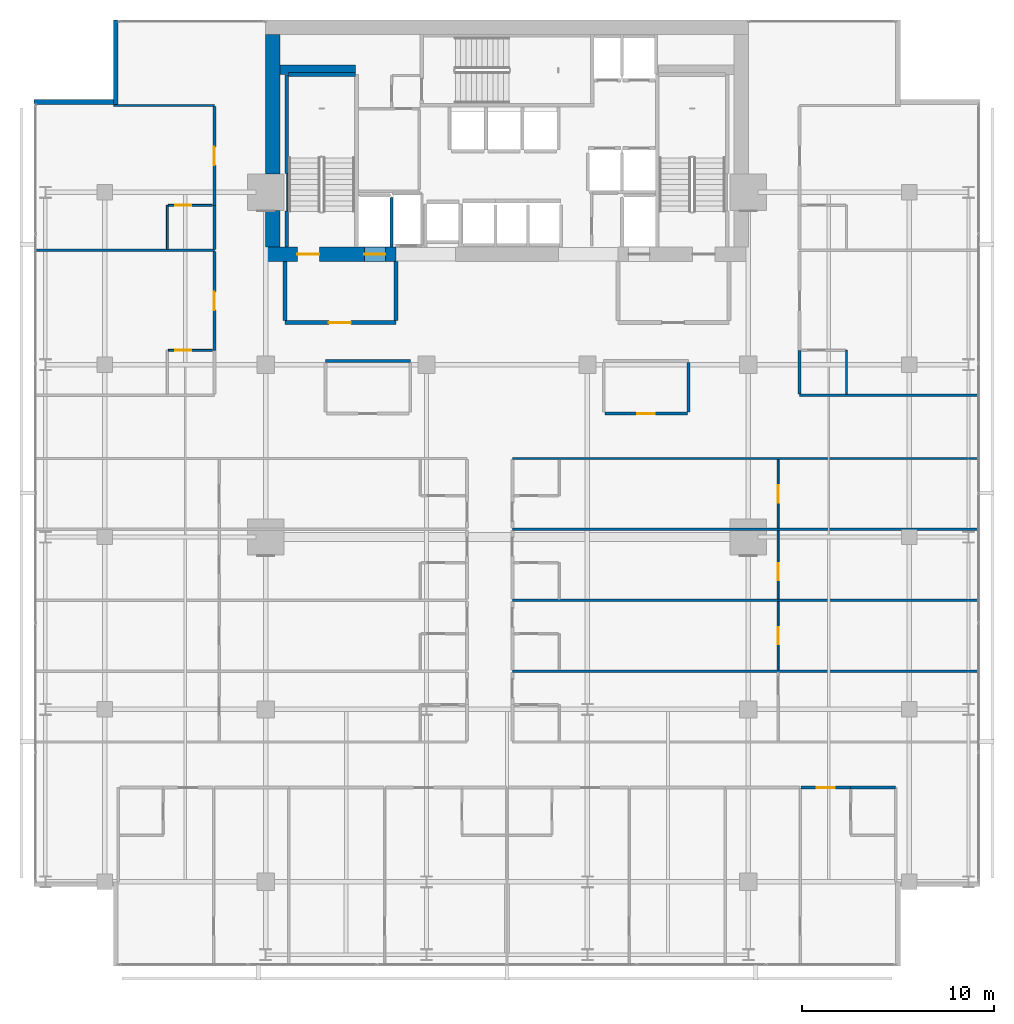
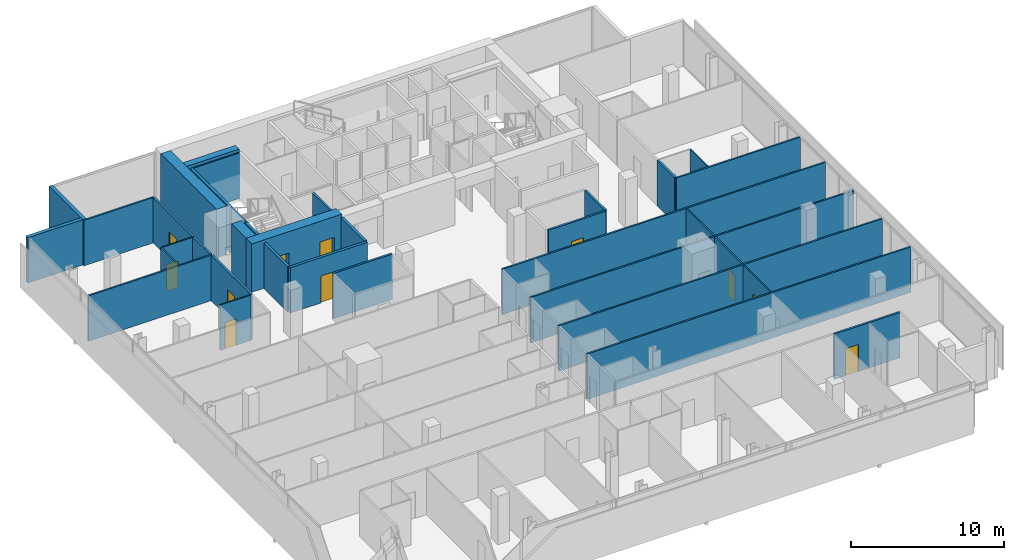
# One storey, part 29 of 34: 37 walls, 12 doors, 12 openings.
"""IFC4 building model written with IfcOpenShell, lengths in metres."""

from ifc_helpers import new_model, si_unit, direction, frame, frame_2d, origin, place, context, subcontext, project, spatial, rectangle, extrude, material, layer, layer_set, type_object, element, fill, save


model = new_model("IFC4")

# Units and contexts
model_context = context("Model", 3, precision=1e-05, world=origin(), true_north=direction((0.0, 1.0)))
body_context = subcontext(model_context, "Body", "Model", "MODEL_VIEW")
ifc_project = project(units=[si_unit("LENGTHUNIT", "METRE"), si_unit("AREAUNIT", "SQUARE_METRE"), si_unit("VOLUMEUNIT", "CUBIC_METRE"), si_unit("PLANEANGLEUNIT", "RADIAN"), si_unit("MASSUNIT", "GRAM", prefix="KILO")], contexts=[model_context])

# Site, building, storey
site_placement = place(None, origin())
site = spatial("IfcSite", under=ifc_project, at=site_placement, CompositionType="ELEMENT")
building_placement = place(site_placement, origin())
building = spatial("IfcBuilding", under=site, at=building_placement, Name="Maruvema Waterfront Hotel and Observation Tower", CompositionType="ELEMENT")
storey_placement = place(building_placement, frame((0.0, 0.0, 189.0)))
storey = spatial("IfcBuildingStorey", under=building, at=storey_placement, Name="L46", CompositionType="ELEMENT", Elevation=189.0)

# Walls
ifc_material_1 = material(Name="Twin-stud acoustic gypsum drywall", Category="gypsum")
ifc_layer_1 = layer(ifc_material_1, 0.14990234375, Name="Acoustic Corridor and Suite Demising Wall 150 mm")
ifc_layer_set_1 = layer_set([ifc_layer_1], Name="Twin-stud acoustic gypsum drywall")
wall_type_1 = type_object("IfcWallType", Name="Acoustic Corridor and Suite Demising Wall 150 mm", PredefinedType="PARTITIONING", material=ifc_layer_set_1)
wall_1_placement = place(storey_placement, frame((28.320068359375, 36.199951171875, 0.0), z_axis=(0.0, 0.0, 1.0), x_axis=(1.0, 0.0, 0.0)))
element("IfcWall", 1, at=wall_1_placement, inside=storey, type_object=wall_type_1, Name="L46 L46-M1 Back Wall 017", PredefinedType="PARTITIONING", context=body_context, shape_type="SweptSolid", body=[
    extrude(rectangle(XDim=4.429931640625, YDim=0.14990234375, at=frame_2d((2.21484375, 0.0))), origin(), (0.0, 0.0, 1.0), 3.610107421875),
])
wall_2_placement = place(storey_placement, frame((47.280029296875, 33.530029296875, 0.0), z_axis=(0.0, 0.0, 1.0), x_axis=(0.0, 1.0, 0.0)))
element("IfcWall", 2, at=wall_2_placement, inside=storey, type_object=wall_type_1, Name="L46 L46-M2 East Wall 023", PredefinedType="PARTITIONING", context=body_context, shape_type="SweptSolid", body=[
    extrude(rectangle(XDim=2.590087890625, YDim=0.14990234375, at=frame_2d((1.294921875, 0.0))), origin(), (0.0, 0.0, 1.0), 3.610107421875),
])

# Wall, opening, door
wall_3_placement = place(storey_placement, frame((42.909912109375, 33.449951171875, 0.0), z_axis=(0.0, 0.0, 1.0), x_axis=(1.0, 0.0, 0.0)))
wall_3 = element("IfcWall", 3, at=wall_3_placement, inside=storey, type_object=wall_type_1, Name="L46 L46-M2 Front 1 024", PredefinedType="PARTITIONING", context=body_context, shape_type="SweptSolid", body=[
    extrude(rectangle(XDim=4.31005859375, YDim=0.14990234375, at=frame_2d((2.155029296875, 0.0))), origin(), (0.0, 0.0, 1.0), 3.610107421875),
])
opening_1_placement = place(wall_3_placement, frame((1.705078125, 0.0, 0.0)))
opening_1 = element("IfcOpeningElement", 4, at=opening_1_placement, cuts=wall_3, Name="Opening DR-090", PredefinedType="OPENING", context=body_context, shape_type="SweptSolid", body=[
    extrude(rectangle(XDim=0.89990234375, YDim=2.10009765625, at=frame_2d((0.449951171875, 1.050048828125))), frame((0.0, 0.0849609375, 0.0), z_axis=(0.0, -1.0, 0.0), x_axis=(1.0, 0.0, 0.0)), (0.0, 0.0, 1.0), 0.169921875),
])
ifc_material_2 = material(Name="Solid-core lacquered timber leaf", Category="wood")
door_type_1 = type_object("IfcDoorType", Name="Accessible Toilet and Room Door 900x2100 mm", OperationType="NOTDEFINED", PredefinedType="DOOR", material=ifc_material_2)
door_1_placement = place(opening_1_placement, frame((0.89990234375, 0.0, 0.0), z_axis=(0.0, 0.0, 1.0), x_axis=(-1.0, 0.0, 0.0)))
door_1 = element("IfcDoor", 5, at=door_1_placement, inside=storey, type_object=door_type_1, Name="L46 Library Lounge 3 Door", OperationType="SINGLE_SWING_RIGHT", OverallHeight=2.10009765625, OverallWidth=0.89990234375, PredefinedType="DOOR", context=body_context, shape_type="SweptSolid", body=[
    extrude(rectangle(XDim=0.89990234375, YDim=2.10009765625, at=frame_2d((0.449951171875, 1.050048828125))), frame((0.0, 0.02490234375, 0.0), z_axis=(0.0, -1.0, 0.0), x_axis=(1.0, 0.0, 0.0)), (0.0, 0.0, 1.0), 0.050048828125),
])
fill(opening_1, door_1)

# Wall
wall_4_placement = place(storey_placement, frame((55.75, 13.919921875, 0.0), z_axis=(0.0, 0.0, 1.0), x_axis=(1.0, 0.0, 0.0)))
element("IfcWall", 6, at=wall_4_placement, inside=storey, type_object=wall_type_1, Name="L46 Bath L46-S4 Back Wall 048", PredefinedType="PARTITIONING", context=body_context, shape_type="SweptSolid", body=[
    extrude(rectangle(XDim=2.330078125, YDim=0.14990234375, at=frame_2d((1.1650390625, 0.0))), origin(), (0.0, 0.0, 1.0), 3.610107421875),
])

# Wall, opening, door
wall_5_placement = place(storey_placement, frame((53.156005859375, 13.919921875, 0.0), z_axis=(0.0, 0.0, 1.0), x_axis=(1.0, 0.0, 0.0)))
wall_5 = element("IfcWall", 7, at=wall_5_placement, inside=storey, type_object=wall_type_1, Name="L46 Unit L46-S4 Corridor Wall 052", PredefinedType="PARTITIONING", context=body_context, shape_type="SweptSolid", body=[
    extrude(rectangle(XDim=2.593994140625, YDim=0.14990234375, at=frame_2d((1.296875, 0.0))), origin(), (0.0, 0.0, 1.0), 3.610107421875),
])
opening_2_placement = place(wall_5_placement, frame((0.822021484375, 0.0, 0.0)))
opening_2 = element("IfcOpeningElement", 8, at=opening_2_placement, cuts=wall_5, Name="Opening DR-095", PredefinedType="OPENING", context=body_context, shape_type="SweptSolid", body=[
    extrude(rectangle(XDim=0.949951171875, YDim=2.14990234375, at=frame_2d((0.47509765625, 1.074951171875))), frame((0.0, 0.0849609375, 0.0), z_axis=(0.0, -1.0, 0.0), x_axis=(1.0, 0.0, 0.0)), (0.0, 0.0, 1.0), 0.169921875),
])
ifc_material_3 = material(Name="Acoustic solid-core hardwood timber leaf", Category="wood")
door_type_2 = type_object("IfcDoorType", Name="Guestroom Entrance Fire Door 950x2150 mm", OperationType="NOTDEFINED", PredefinedType="DOOR", material=ifc_material_3)
door_2_placement = place(opening_2_placement, frame((0.949951171875, 0.0, 0.0), z_axis=(0.0, 0.0, 1.0), x_axis=(-1.0, 0.0, 0.0)))
door_2 = element("IfcDoor", 9, at=door_2_placement, inside=storey, type_object=door_type_2, Name="L46 Unit L46-S4 Entrance Door", OperationType="SINGLE_SWING_LEFT", OverallHeight=2.14990234375, OverallWidth=0.949951171875, PredefinedType="DOOR", context=body_context, shape_type="SweptSolid", body=[
    extrude(rectangle(XDim=0.949951171875, YDim=2.14990234375, at=frame_2d((0.47509765625, 1.074951171875))), frame((0.0, 0.02490234375, 0.0), z_axis=(0.0, -1.0, 0.0), x_axis=(1.0, 0.0, 0.0)), (0.0, 0.0, 1.0), 0.050048828125),
])
fill(opening_2, door_2)

wall_6_placement = place(storey_placement, frame((22.52001953125, 36.75, 0.0), z_axis=(0.0, 0.0, 1.0), x_axis=(0.0, 1.0, 0.0)))
wall_6 = element("IfcWall", 10, at=wall_6_placement, inside=storey, type_object=wall_type_1, Name="L46 Room L46-NW1 Corridor Wall 109", PredefinedType="PARTITIONING", context=body_context, shape_type="SweptSolid", body=[
    extrude(rectangle(XDim=5.15869140625, YDim=0.14990234375, at=frame_2d((2.579345703125, 0.0))), origin(), (0.0, 0.0, 1.0), 3.610107421875),
])
opening_3_placement = place(wall_6_placement, frame((2.1044921875, 0.0, 0.0)))
opening_3 = element("IfcOpeningElement", 11, at=opening_3_placement, cuts=wall_6, Name="Opening DR-095", PredefinedType="OPENING", context=body_context, shape_type="SweptSolid", body=[
    extrude(rectangle(XDim=0.949951171875, YDim=2.14990234375, at=frame_2d((0.47509765625, 1.074951171875))), frame((0.0, 0.0849609375, 0.0), z_axis=(0.0, -1.0, 0.0), x_axis=(1.0, 0.0, 0.0)), (0.0, 0.0, 1.0), 0.169921875),
])
door_3_placement = place(opening_3_placement, origin())
door_3 = element("IfcDoor", 12, at=door_3_placement, inside=storey, type_object=door_type_2, Name="L46 Room L46-NW1 Entrance Door", OperationType="SINGLE_SWING_RIGHT", OverallHeight=2.14990234375, OverallWidth=0.949951171875, PredefinedType="DOOR", context=body_context, shape_type="SweptSolid", body=[
    extrude(rectangle(XDim=0.949951171875, YDim=2.14990234375, at=frame_2d((0.47509765625, 1.074951171875))), frame((0.0, 0.02490234375, 0.0), z_axis=(0.0, -1.0, 0.0), x_axis=(1.0, 0.0, 0.0)), (0.0, 0.0, 1.0), 0.050048828125),
])
fill(opening_3, door_3)

# Walls
for number, where, z_axis, x_axis, name in (
    (13, (53.080078125, 34.4599609375, 0.0), (0.0, 0.0, 1.0), (0.0, 1.0, 0.0), "L46 Bath L46-NE1 Wall 112"),
    (14, (22.52001953125, 42.02880859375, 0.0), (0.0, 0.0, 1.0), (0.0, 1.0, 0.0), "L46 Bath L46-NW2 Wall 118"),
):
    element("IfcWall", number, at=place(storey_placement, frame(where, z_axis=z_axis, x_axis=x_axis)), inside=storey, type_object=wall_type_1, Name=name, PredefinedType="PARTITIONING", context=body_context, shape_type="SweptSolid", body=[
        extrude(rectangle(XDim=2.2900390625, YDim=0.14990234375, at=frame_2d((1.14501953125, 0.0))), origin(), (0.0, 0.0, 1.0), 3.610107421875),
    ])

# Wall, opening, door
wall_7_placement = place(storey_placement, frame((22.52001953125, 44.31884765625, 0.0), z_axis=(0.0, 0.0, 1.0), x_axis=(0.0, 1.0, 0.0)))
wall_7 = element("IfcWall", 15, at=wall_7_placement, inside=storey, type_object=wall_type_1, Name="L46 Room L46-NW2 Corridor Wall 119", PredefinedType="PARTITIONING", context=body_context, shape_type="SweptSolid", body=[
    extrude(rectangle(XDim=5.15869140625, YDim=0.14990234375, at=frame_2d((2.579345703125, 0.0))), origin(), (0.0, 0.0, 1.0), 3.610107421875),
])
opening_4_placement = place(wall_7_placement, frame((2.104248046875, 0.0, 0.0)))
opening_4 = element("IfcOpeningElement", 16, at=opening_4_placement, cuts=wall_7, Name="Opening DR-095", PredefinedType="OPENING", context=body_context, shape_type="SweptSolid", body=[
    extrude(rectangle(XDim=0.949951171875, YDim=2.14990234375, at=frame_2d((0.47509765625, 1.074951171875))), frame((0.0, 0.0849609375, 0.0), z_axis=(0.0, -1.0, 0.0), x_axis=(1.0, 0.0, 0.0)), (0.0, 0.0, 1.0), 0.169921875),
])
door_4_placement = place(opening_4_placement, origin())
door_4 = element("IfcDoor", 17, at=door_4_placement, inside=storey, type_object=door_type_2, Name="L46 Room L46-NW2 Entrance Door", OperationType="SINGLE_SWING_RIGHT", OverallHeight=2.14990234375, OverallWidth=0.949951171875, PredefinedType="DOOR", context=body_context, shape_type="SweptSolid", body=[
    extrude(rectangle(XDim=0.949951171875, YDim=2.14990234375, at=frame_2d((0.47509765625, 1.074951171875))), frame((0.0, 0.02490234375, 0.0), z_axis=(0.0, -1.0, 0.0), x_axis=(1.0, 0.0, 0.0)), (0.0, 0.0, 1.0), 0.050048828125),
])
fill(opening_4, door_4)

# Walls
ifc_material_4 = material(Name="Precast concrete C45/55", Category="concrete")
ifc_layer_2 = layer(ifc_material_4, 0.199951171875, Name="Core Shaft and Stairwell Enclosure Wall 200 mm")
ifc_layer_set_2 = layer_set([ifc_layer_2], Name="Precast concrete C45/55")
wall_type_2 = type_object("IfcWallType", Name="Core Shaft and Stairwell Enclosure Wall 200 mm", PredefinedType="SOLIDWALL", material=ifc_layer_set_2)
wall_8_placement = place(storey_placement, frame((26.300048828125, 42.14990234375, 0.0), z_axis=(0.0, 0.0, 1.0), x_axis=(0.0, 1.0, 0.0)))
element("IfcWall", 18, at=wall_8_placement, inside=storey, type_object=wall_type_2, Name="L46 Stairwell ST-01 Shaft Lining Wall", PredefinedType="SOLIDWALL", context=body_context, shape_type="SweptSolid", body=[
    extrude(rectangle(XDim=1.8701171875, YDim=0.199951171875, at=frame_2d((0.93505859375, 0.0))), origin(), (0.0, 0.0, 1.0), 3.610107421875),
])
wall_9_placement = place(storey_placement, frame((26.300048828125, 45.97998046875, 0.0), z_axis=(0.0, 0.0, 1.0), x_axis=(0.0, 1.0, 0.0)))
element("IfcWall", 19, at=wall_9_placement, inside=storey, type_object=wall_type_2, Name="L46 Stairwell ST-01 Shaft Lining Wall", PredefinedType="SOLIDWALL", context=body_context, shape_type="SweptSolid", body=[
    extrude(rectangle(XDim=5.14013671875, YDim=0.199951171875, at=frame_2d((2.570068359375, 0.0))), origin(), (0.0, 0.0, 1.0), 3.610107421875),
])
wall_10_placement = place(storey_placement, frame((26.3798828125, 51.14990234375, 0.0), z_axis=(0.0, 0.0, 1.0), x_axis=(1.0, 0.0, 0.0)))
element("IfcWall", 20, at=wall_10_placement, inside=storey, type_object=wall_type_2, Name="L46 Stairwell ST-01 Shaft Lining Wall", PredefinedType="SOLIDWALL", context=body_context, shape_type="SweptSolid", body=[
    extrude(rectangle(XDim=3.5, YDim=0.199951171875, at=frame_2d((1.75, 0.0))), origin(), (0.0, 0.0, 1.0), 3.610107421875),
])
ifc_material_5 = material(Name="Concrete C70/85", Category="concrete")
ifc_layer_3 = layer(ifc_material_5, 0.5, Name="Core Shear Wall 500 mm")
ifc_layer_set_3 = layer_set([ifc_layer_3], Name="Concrete C70/85")
wall_type_3 = type_object("IfcWallType", Name="Core Shear Wall 500 mm", PredefinedType="SHEAR", material=ifc_layer_set_3)
wall_11_placement = place(storey_placement, frame((25.949951171875, 51.39990234375, 0.0), z_axis=(0.0, 0.0, 1.0), x_axis=(1.0, 0.0, 0.0)))
element("IfcWall", 21, at=wall_11_placement, inside=storey, type_object=wall_type_3, Name="L46 Internal Core Shear Wall NW 500 mm", PredefinedType="SHEAR", context=body_context, shape_type="SweptSolid", body=[
    extrude(rectangle(XDim=3.949951171875, YDim=0.5, at=frame_2d((1.97509765625, 0.0))), origin(), (0.0, 0.0, 1.0), 3.85009765625),
])

# Wall, openings, doors
ifc_material_6 = material(Name="Concrete C70/85", Category="concrete")
ifc_layer_4 = layer(ifc_material_6, 0.75, Name="Core Shear Wall 750 mm")
ifc_layer_set_4 = layer_set([ifc_layer_4], Name="Concrete C70/85")
wall_type_4 = type_object("IfcWallType", Name="Core Shear Wall 750 mm", PredefinedType="SHEAR", material=ifc_layer_set_4)
wall_12_placement = place(storey_placement, frame((25.199951171875, 41.77490234375, 0.0), z_axis=(0.0, 0.0, 1.0), x_axis=(1.0, 0.0, 0.0)))
wall_12 = element("IfcWall", 22, at=wall_12_placement, inside=storey, type_object=wall_type_4, Name="L46 South-West Core Shear Wall", PredefinedType="SHEAR", context=body_context, shape_type="SweptSolid", body=[
    extrude(rectangle(XDim=6.800048828125, YDim=0.75, at=frame_2d((3.39990234375, 0.0))), origin(), (0.0, 0.0, 1.0), 3.85009765625),
])
opening_5_placement = place(wall_12_placement, frame((1.64990234375, 0.0, 0.0)))
opening_5 = element("IfcOpeningElement", 23, at=opening_5_placement, cuts=wall_12, Name="Opening SD-01", PredefinedType="OPENING", context=body_context, shape_type="SweptSolid", body=[
    extrude(rectangle(XDim=1.14990234375, YDim=2.14990234375, at=frame_2d((0.574951171875, 1.074951171875))), frame((0.0, 0.385009765625, 0.0), z_axis=(0.0, -1.0, 0.0), x_axis=(1.0, 0.0, 0.0)), (0.0, 0.0, 1.0), 0.77001953125),
])
opening_6_placement = place(wall_12_placement, frame((5.14990234375, 0.0, 0.0)))
opening_6 = element("IfcOpeningElement", 24, at=opening_6_placement, cuts=wall_12, Name="Opening LD-03", PredefinedType="OPENING", context=body_context, shape_type="SweptSolid", body=[
    extrude(rectangle(XDim=1.10009765625, YDim=2.199951171875, at=frame_2d((0.550048828125, 1.10009765625))), frame((0.0, 0.385009765625, 0.0), z_axis=(0.0, -1.0, 0.0), x_axis=(1.0, 0.0, 0.0)), (0.0, 0.0, 1.0), 0.77001953125),
])
ifc_material_7 = material(Name="Fire-rated galvanised steel leaf", Category="steel")
door_type_3 = type_object("IfcDoorType", Name="Exit Stair Fire Door 1150x2150 mm", OperationType="NOTDEFINED", PredefinedType="DOOR", material=ifc_material_7)
door_5_placement = place(opening_5_placement, origin())
door_5 = element("IfcDoor", 25, at=door_5_placement, inside=storey, type_object=door_type_3, Name="L46 Exit Stair ST-01 Fire Door", OperationType="SINGLE_SWING_LEFT", OverallHeight=2.14990234375, OverallWidth=1.14990234375, PredefinedType="DOOR", context=body_context, shape_type="SweptSolid", body=[
    extrude(rectangle(XDim=1.14990234375, YDim=2.14990234375, at=frame_2d((0.574951171875, 1.074951171875))), frame((0.0, 0.02490234375, 0.0), z_axis=(0.0, -1.0, 0.0), x_axis=(1.0, 0.0, 0.0)), (0.0, 0.0, 1.0), 0.050048828125),
])
fill(opening_5, door_5)
ifc_material_8 = material(Name="Brushed stainless steel Grade 316", Category="steel")
door_type_4 = type_object("IfcDoorType", Name="Firefighting Lift Sliding Landing Door 1100x2200 mm", OperationType="SLIDING_TO_LEFT", PredefinedType="DOOR", material=ifc_material_8)
door_6_placement = place(opening_6_placement, frame((1.10009765625, 0.0, 0.0), z_axis=(0.0, 0.0, 1.0), x_axis=(-1.0, 0.0, 0.0)))
door_6 = element("IfcDoor", 26, at=door_6_placement, inside=storey, type_object=door_type_4, Name="L46 Firefighting Lift FL-01 Landing Door", OperationType="SLIDING_TO_LEFT", OverallHeight=2.199951171875, OverallWidth=1.10009765625, PredefinedType="DOOR", context=body_context, shape_type="SweptSolid", body=[
    extrude(rectangle(XDim=1.10009765625, YDim=2.199951171875, at=frame_2d((0.550048828125, 1.10009765625))), frame((0.0, 0.02490234375, 0.0), z_axis=(0.0, -1.0, 0.0), x_axis=(1.0, 0.0, 0.0)), (0.0, 0.0, 1.0), 0.050048828125),
])
fill(opening_6, door_6)

# Walls
wall_13_placement = place(storey_placement, frame((25.574951171875, 42.14990234375, 0.0), z_axis=(0.0, 0.0, 1.0), x_axis=(0.0, 1.0, 0.0)))
element("IfcWall", 27, at=wall_13_placement, inside=storey, type_object=wall_type_4, Name="L46 West-South Core Shear Wall", PredefinedType="SHEAR", context=body_context, shape_type="SweptSolid", body=[
    extrude(rectangle(XDim=1.900146484375, YDim=0.75, at=frame_2d((0.9501953125, 0.0))), origin(), (0.0, 0.0, 1.0), 3.85009765625),
])
wall_14_placement = place(storey_placement, frame((25.574951171875, 45.949951171875, 0.0), z_axis=(0.0, 0.0, 1.0), x_axis=(0.0, 1.0, 0.0)))
element("IfcWall", 28, at=wall_14_placement, inside=storey, type_object=wall_type_4, Name="L46 West-North Core Shear Wall", PredefinedType="SHEAR", context=body_context, shape_type="SweptSolid", body=[
    extrude(rectangle(XDim=7.300048828125, YDim=0.75, at=frame_2d((3.64990234375, 0.0))), origin(), (0.0, 0.0, 1.0), 3.85009765625),
])

# Wall, opening, door
ifc_material_9 = material(Name="Moisture-resistant cement-board drywall", Category="gypsum")
ifc_layer_5 = layer(ifc_material_9, 0.10009765625, Name="En-Suite Moisture-Resistant Partition 100 mm")
ifc_layer_set_5 = layer_set([ifc_layer_5], Name="Moisture-resistant cement-board drywall")
wall_type_5 = type_object("IfcWallType", Name="En-Suite Moisture-Resistant Partition 100 mm", PredefinedType="PARTITIONING", material=ifc_layer_set_5)
wall_15_placement = place(storey_placement, frame((51.954345703125, 20.06005859375, 0.0), z_axis=(0.0, 0.0, 1.0), x_axis=(0.0, 1.0, 0.0)))
wall_15 = element("IfcWall", 29, at=wall_15_placement, inside=storey, type_object=wall_type_5, Name="L46 Suite L46-E2 Split 079", PredefinedType="PARTITIONING", context=body_context, shape_type="SweptSolid", body=[
    extrude(rectangle(XDim=3.579833984375, YDim=0.10009765625, at=frame_2d((1.7900390625, 0.0))), origin(), (0.0, 0.0, 1.0), 3.610107421875),
])
opening_7_placement = place(wall_15_placement, frame((1.340087890625, 0.0, 0.0)))
opening_7 = element("IfcOpeningElement", 30, at=opening_7_placement, cuts=wall_15, Name="Opening DR-090", PredefinedType="OPENING", context=body_context, shape_type="SweptSolid", body=[
    extrude(rectangle(XDim=0.89990234375, YDim=2.10009765625, at=frame_2d((0.449951171875, 1.050048828125))), frame((0.0, 0.06005859375, 0.0), z_axis=(0.0, -1.0, 0.0), x_axis=(1.0, 0.0, 0.0)), (0.0, 0.0, 1.0), 0.1201171875),
])
door_7_placement = place(opening_7_placement, frame((0.89990234375, 0.0, 0.0), z_axis=(0.0, 0.0, 1.0), x_axis=(-1.0, 0.0, 0.0)))
door_7 = element("IfcDoor", 31, at=door_7_placement, inside=storey, type_object=door_type_1, Name="L46 Suite L46-E2 Bedroom Door", OperationType="SINGLE_SWING_RIGHT", OverallHeight=2.10009765625, OverallWidth=0.89990234375, PredefinedType="DOOR", context=body_context, shape_type="SweptSolid", body=[
    extrude(rectangle(XDim=0.89990234375, YDim=2.10009765625, at=frame_2d((0.449951171875, 1.050048828125))), frame((0.0, 0.02490234375, 0.0), z_axis=(0.0, -1.0, 0.0), x_axis=(1.0, 0.0, 0.0)), (0.0, 0.0, 1.0), 0.050048828125),
])
fill(opening_7, door_7)

wall_16_placement = place(storey_placement, frame((51.954345703125, 23.760009765625, 0.0), z_axis=(0.0, 0.0, 1.0), x_axis=(0.0, 1.0, 0.0)))
wall_16 = element("IfcWall", 32, at=wall_16_placement, inside=storey, type_object=wall_type_5, Name="L46 Suite L46-E3 Split 091", PredefinedType="PARTITIONING", context=body_context, shape_type="SweptSolid", body=[
    extrude(rectangle(XDim=3.580078125, YDim=0.10009765625, at=frame_2d((1.7900390625, 0.0))), origin(), (0.0, 0.0, 1.0), 3.610107421875),
])
opening_8_placement = place(wall_16_placement, frame((0.97998046875, 0.0, 0.0)))
opening_8 = element("IfcOpeningElement", 33, at=opening_8_placement, cuts=wall_16, Name="Opening DR-090", PredefinedType="OPENING", context=body_context, shape_type="SweptSolid", body=[
    extrude(rectangle(XDim=0.89990234375, YDim=2.10009765625, at=frame_2d((0.449951171875, 1.050048828125))), frame((0.0, 0.06005859375, 0.0), z_axis=(0.0, -1.0, 0.0), x_axis=(1.0, 0.0, 0.0)), (0.0, 0.0, 1.0), 0.1201171875),
])
door_8_placement = place(opening_8_placement, frame((0.89990234375, 0.0, 0.0), z_axis=(0.0, 0.0, 1.0), x_axis=(-1.0, 0.0, 0.0)))
door_8 = element("IfcDoor", 34, at=door_8_placement, inside=storey, type_object=door_type_1, Name="L46 Suite L46-E3 Bedroom Door", OperationType="SINGLE_SWING_RIGHT", OverallHeight=2.10009765625, OverallWidth=0.89990234375, PredefinedType="DOOR", context=body_context, shape_type="SweptSolid", body=[
    extrude(rectangle(XDim=0.89990234375, YDim=2.10009765625, at=frame_2d((0.449951171875, 1.050048828125))), frame((0.0, 0.02490234375, 0.0), z_axis=(0.0, -1.0, 0.0), x_axis=(1.0, 0.0, 0.0)), (0.0, 0.0, 1.0), 0.050048828125),
])
fill(opening_8, door_8)

wall_17_placement = place(storey_placement, frame((51.954345703125, 27.4599609375, 0.0), z_axis=(0.0, 0.0, 1.0), x_axis=(0.0, 1.0, 0.0)))
wall_17 = element("IfcWall", 35, at=wall_17_placement, inside=storey, type_object=wall_type_5, Name="L46 Suite L46-E4 Split 103", PredefinedType="PARTITIONING", context=body_context, shape_type="SweptSolid", body=[
    extrude(rectangle(XDim=3.580078125, YDim=0.10009765625, at=frame_2d((1.7900390625, 0.0))), origin(), (0.0, 0.0, 1.0), 3.610107421875),
])
opening_9_placement = place(wall_17_placement, frame((1.340087890625, 0.0, 0.0)))
opening_9 = element("IfcOpeningElement", 36, at=opening_9_placement, cuts=wall_17, Name="Opening DR-090", PredefinedType="OPENING", context=body_context, shape_type="SweptSolid", body=[
    extrude(rectangle(XDim=0.89990234375, YDim=2.10009765625, at=frame_2d((0.449951171875, 1.050048828125))), frame((0.0, 0.06005859375, 0.0), z_axis=(0.0, -1.0, 0.0), x_axis=(1.0, 0.0, 0.0)), (0.0, 0.0, 1.0), 0.1201171875),
])
door_9_placement = place(opening_9_placement, frame((0.89990234375, 0.0, 0.0), z_axis=(0.0, 0.0, 1.0), x_axis=(-1.0, 0.0, 0.0)))
door_9 = element("IfcDoor", 37, at=door_9_placement, inside=storey, type_object=door_type_1, Name="L46 Suite L46-E4 Bedroom Door", OperationType="SINGLE_SWING_RIGHT", OverallHeight=2.10009765625, OverallWidth=0.89990234375, PredefinedType="DOOR", context=body_context, shape_type="SweptSolid", body=[
    extrude(rectangle(XDim=0.89990234375, YDim=2.10009765625, at=frame_2d((0.449951171875, 1.050048828125))), frame((0.0, 0.02490234375, 0.0), z_axis=(0.0, -1.0, 0.0), x_axis=(1.0, 0.0, 0.0)), (0.0, 0.0, 1.0), 0.050048828125),
])
fill(opening_9, door_9)

wall_18_placement = place(storey_placement, frame((20.1201171875, 36.75, 0.0), z_axis=(0.0, 0.0, 1.0), x_axis=(1.0, 0.0, 0.0)))
wall_18 = element("IfcWall", 38, at=wall_18_placement, inside=storey, type_object=wall_type_5, Name="L46 En-Suite L46-NW1 N 111", PredefinedType="PARTITIONING", context=body_context, shape_type="SweptSolid", body=[
    extrude(rectangle(XDim=2.2998046875, YDim=0.10009765625, at=frame_2d((1.14990234375, 0.0))), origin(), (0.0, 0.0, 1.0), 3.610107421875),
])
opening_10_placement = place(wall_18_placement, frame((0.35009765625, 0.0, 0.0)))
opening_10 = element("IfcOpeningElement", 39, at=opening_10_placement, cuts=wall_18, Name="Opening DR-085", PredefinedType="OPENING", context=body_context, shape_type="SweptSolid", body=[
    extrude(rectangle(XDim=0.85009765625, YDim=2.10009765625, at=frame_2d((0.425048828125, 1.050048828125))), frame((0.0, 0.06005859375, 0.0), z_axis=(0.0, -1.0, 0.0), x_axis=(1.0, 0.0, 0.0)), (0.0, 0.0, 1.0), 0.1201171875),
])
ifc_material_10 = material(Name="Moisture-resistant solid timber leaf", Category="wood")
door_type_5 = type_object("IfcDoorType", Name="En-Suite Bathroom Door 850x2100 mm", OperationType="NOTDEFINED", PredefinedType="DOOR", material=ifc_material_10)
door_10_placement = place(opening_10_placement, origin())
door_10 = element("IfcDoor", 40, at=door_10_placement, inside=storey, type_object=door_type_5, Name="L46 En-Suite L46-NW1 Door", OperationType="SINGLE_SWING_LEFT", OverallHeight=2.10009765625, OverallWidth=0.85009765625, PredefinedType="DOOR", context=body_context, shape_type="SweptSolid", body=[
    extrude(rectangle(XDim=0.85009765625, YDim=2.10009765625, at=frame_2d((0.425048828125, 1.050048828125))), frame((0.0, 0.02490234375, 0.0), z_axis=(0.0, -1.0, 0.0), x_axis=(1.0, 0.0, 0.0)), (0.0, 0.0, 1.0), 0.050048828125),
])
fill(opening_10, door_10)

# Walls
for number, where, z_axis, x_axis, name in (
    (41, (55.530029296875, 34.4599609375, 0.0), (0.0, 0.0, 1.0), (0.0, 1.0, 0.0), "L46 En-Suite L46-NE1 E 114"),
    (42, (20.070068359375, 42.02880859375, 0.0), (0.0, 0.0, 1.0), (0.0, 1.0, 0.0), "L46 En-Suite L46-NW2 W 120"),
):
    element("IfcWall", number, at=place(storey_placement, frame(where, z_axis=z_axis, x_axis=x_axis)), inside=storey, type_object=wall_type_5, Name=name, PredefinedType="PARTITIONING", context=body_context, shape_type="SweptSolid", body=[
        extrude(rectangle(XDim=2.2900390625, YDim=0.10009765625, at=frame_2d((1.14501953125, 0.0))), origin(), (0.0, 0.0, 1.0), 3.610107421875),
    ])

# Wall, opening, door
wall_19_placement = place(storey_placement, frame((20.1201171875, 44.31884765625, 0.0), z_axis=(0.0, 0.0, 1.0), x_axis=(1.0, 0.0, 0.0)))
wall_19 = element("IfcWall", 43, at=wall_19_placement, inside=storey, type_object=wall_type_5, Name="L46 En-Suite L46-NW2 N 121", PredefinedType="PARTITIONING", context=body_context, shape_type="SweptSolid", body=[
    extrude(rectangle(XDim=2.2998046875, YDim=0.10009765625, at=frame_2d((1.14990234375, 0.0))), origin(), (0.0, 0.0, 1.0), 3.610107421875),
])
opening_11_placement = place(wall_19_placement, frame((0.35009765625, 0.0, 0.0)))
opening_11 = element("IfcOpeningElement", 44, at=opening_11_placement, cuts=wall_19, Name="Opening DR-085", PredefinedType="OPENING", context=body_context, shape_type="SweptSolid", body=[
    extrude(rectangle(XDim=0.85009765625, YDim=2.10009765625, at=frame_2d((0.425048828125, 1.050048828125))), frame((0.0, 0.06005859375, 0.0), z_axis=(0.0, -1.0, 0.0), x_axis=(1.0, 0.0, 0.0)), (0.0, 0.0, 1.0), 0.1201171875),
])
door_11_placement = place(opening_11_placement, origin())
door_11 = element("IfcDoor", 45, at=door_11_placement, inside=storey, type_object=door_type_5, Name="L46 En-Suite L46-NW2 Door", OperationType="SINGLE_SWING_LEFT", OverallHeight=2.10009765625, OverallWidth=0.85009765625, PredefinedType="DOOR", context=body_context, shape_type="SweptSolid", body=[
    extrude(rectangle(XDim=0.85009765625, YDim=2.10009765625, at=frame_2d((0.425048828125, 1.050048828125))), frame((0.0, 0.02490234375, 0.0), z_axis=(0.0, -1.0, 0.0), x_axis=(1.0, 0.0, 0.0)), (0.0, 0.0, 1.0), 0.050048828125),
])
fill(opening_11, door_11)

# Walls
ifc_material_11 = material(Name="Precast concrete C45/55 with honed Pernambuco granite facing", Category="masonry")
ifc_layer_6 = layer(ifc_material_11, 0.260009765625, Name="Exterior Granite Clad Spandrel and Pier Wall 260 mm")
ifc_layer_set_6 = layer_set([ifc_layer_6], Name="Precast concrete C45/55 with honed Pernambuco granite facing")
wall_type_6 = type_object("IfcWallType", Name="Exterior Granite Clad Spandrel and Pier Wall 260 mm", PredefinedType="SOLIDWALL", material=ifc_layer_set_6)
for number, where, z_axis, x_axis, name in (
    (46, (17.3701171875, 49.60009765625, 0.0), (0.0, 0.0, 1.0), (0.0, 1.0, 0.0), "L46 Corner Notch Granite Pier Wall NW1"),
    (47, (13.10009765625, 49.72998046875, 0.0), (0.0, 0.0, 1.0), (1.0, 0.0, 0.0), "L46 Corner Notch Granite Pier Wall NW2"),
):
    element("IfcWall", number, at=place(storey_placement, frame(where, z_axis=z_axis, x_axis=x_axis)), inside=storey, type_object=wall_type_6, Name=name, PredefinedType="SOLIDWALL", context=body_context, shape_type="SweptSolid", body=[
        extrude(rectangle(XDim=4.39990234375, YDim=0.260009765625, at=frame_2d((2.199951171875, 0.0))), origin(), (0.0, 0.0, 1.0), 3.610107421875),
    ])

# Wall, opening, door
ifc_material_12 = material(Name="Autoclaved cellular concrete blockwork", Category="masonry")
ifc_layer_7 = layer(ifc_material_12, 0.199951171875, Name="Fire Compartment Masonry Wall 200 mm")
ifc_layer_set_7 = layer_set([ifc_layer_7], Name="Autoclaved cellular concrete blockwork")
wall_type_7 = type_object("IfcWallType", Name="Fire Compartment Masonry Wall 200 mm", PredefinedType="PARTITIONING", material=ifc_layer_set_7)
wall_20_placement = place(storey_placement, frame((26.199951171875, 38.199951171875, 0.0), z_axis=(0.0, 0.0, 1.0), x_axis=(1.0, 0.0, 0.0)))
wall_20 = element("IfcWall", 48, at=wall_20_placement, inside=storey, type_object=wall_type_7, Name="L46 FFL West South Wall 001", PredefinedType="PARTITIONING", context=body_context, shape_type="SweptSolid", body=[
    extrude(rectangle(XDim=5.800048828125, YDim=0.199951171875, at=frame_2d((2.89990234375, 0.0))), origin(), (0.0, 0.0, 1.0), 3.610107421875),
])
opening_12_placement = place(wall_20_placement, frame((2.300048828125, 0.0, 0.0)))
opening_12 = element("IfcOpeningElement", 49, at=opening_12_placement, cuts=wall_20, Name="Opening FD-115", PredefinedType="OPENING", context=body_context, shape_type="SweptSolid", body=[
    extrude(rectangle(XDim=1.14990234375, YDim=2.14990234375, at=frame_2d((0.574951171875, 1.074951171875))), frame((0.0, 0.10986328125, 0.0), z_axis=(0.0, -1.0, 0.0), x_axis=(1.0, 0.0, 0.0)), (0.0, 0.0, 1.0), 0.219970703125),
])
ifc_material_13 = material(Name="Fire-rated galvanised steel and vision glass", Category="steel")
door_type_6 = type_object("IfcDoorType", Name="Firefighting Lobby Fire Door 1150x2150 mm", OperationType="NOTDEFINED", PredefinedType="DOOR", material=ifc_material_13)
door_12_placement = place(opening_12_placement, frame((1.14990234375, 0.0, 0.0), z_axis=(0.0, 0.0, 1.0), x_axis=(-1.0, 0.0, 0.0)))
door_12 = element("IfcDoor", 50, at=door_12_placement, inside=storey, type_object=door_type_6, Name="L46 Firefighting Lobby West Door", OperationType="SINGLE_SWING_LEFT", OverallHeight=2.14990234375, OverallWidth=1.14990234375, PredefinedType="DOOR", context=body_context, shape_type="SweptSolid", body=[
    extrude(rectangle(XDim=1.14990234375, YDim=2.14990234375, at=frame_2d((0.574951171875, 1.074951171875))), frame((0.0, 0.02490234375, 0.0), z_axis=(0.0, -1.0, 0.0), x_axis=(1.0, 0.0, 0.0)), (0.0, 0.0, 1.0), 0.050048828125),
])
fill(opening_12, door_12)

# Walls
for number, where, z_axis, x_axis, name in (
    (51, (26.199951171875, 38.31005859375, 0.0), (0.0, 0.0, 1.0), (0.0, 1.0, 0.0), "L46 FFL West West Wall 002"),
    (52, (32.0, 38.31005859375, 0.0), (0.0, 0.0, 1.0), (0.0, 1.0, 0.0), "L46 FFL West East Wall 003"),
):
    element("IfcWall", number, at=place(storey_placement, frame(where, z_axis=z_axis, x_axis=x_axis)), inside=storey, type_object=wall_type_7, Name=name, PredefinedType="PARTITIONING", context=body_context, shape_type="SweptSolid", body=[
        extrude(rectangle(XDim=3.06982421875, YDim=0.199951171875, at=frame_2d((1.534912109375, 0.0))), origin(), (0.0, 0.0, 1.0), 3.610107421875),
    ])
ifc_material_14 = material(Name="Acoustic gypsum plasterboard drywall", Category="gypsum")
ifc_layer_8 = layer(ifc_material_14, 0.125, Name="Guestroom Acoustic Demising Wall 125 mm")
ifc_layer_set_8 = layer_set([ifc_layer_8], Name="Acoustic gypsum plasterboard drywall")
wall_type_8 = type_object("IfcWallType", Name="Guestroom Acoustic Demising Wall 125 mm", PredefinedType="PARTITIONING", material=ifc_layer_set_8)
for number, where, z_axis, x_axis, name in (
    (53, (38.080078125, 31.10009765625, 0.0), (0.0, 0.0, 1.0), (1.0, 0.0, 0.0), "L46 Z2 E Top End 057"),
    (54, (38.080078125, 20.0, 0.0), (0.0, 0.0, 1.0), (1.0, 0.0, 0.0), "L46 Z2 E Demising 2 069"),
    (55, (38.080078125, 23.699951171875, 0.0), (0.0, 0.0, 1.0), (1.0, 0.0, 0.0), "L46 Z2 E Demising 3 081"),
    (56, (38.080078125, 27.39990234375, 0.0), (0.0, 0.0, 1.0), (1.0, 0.0, 0.0), "L46 Z2 E Demising 4 093"),
):
    element("IfcWall", number, at=place(storey_placement, frame(where, z_axis=z_axis, x_axis=x_axis)), inside=storey, type_object=wall_type_8, Name=name, PredefinedType="PARTITIONING", context=body_context, shape_type="SweptSolid", body=[
        extrude(rectangle(XDim=24.31982421875, YDim=0.125, at=frame_2d((12.159912109375, 0.0))), origin(), (0.0, 0.0, 1.0), 3.610107421875),
    ])
wall_21_placement = place(storey_placement, frame((53.080078125, 34.39990234375, 0.0), z_axis=(0.0, 0.0, 1.0), x_axis=(1.0, 0.0, 0.0)))
element("IfcWall", 57, at=wall_21_placement, inside=storey, type_object=wall_type_8, Name="L46 Z2 NE Bot End 105", PredefinedType="PARTITIONING", context=body_context, shape_type="SweptSolid", body=[
    extrude(rectangle(XDim=9.31982421875, YDim=0.125, at=frame_2d((4.659912109375, 0.0))), origin(), (0.0, 0.0, 1.0), 3.610107421875),
])
wall_22_placement = place(storey_placement, frame((17.239990234375, 49.53759765625, 0.0), z_axis=(0.0, 0.0, 1.0), x_axis=(1.0, 0.0, 0.0)))
element("IfcWall", 58, at=wall_22_placement, inside=storey, type_object=wall_type_8, Name="L46 Z2 NW Top End 106", PredefinedType="PARTITIONING", context=body_context, shape_type="SweptSolid", body=[
    extrude(rectangle(XDim=5.280029296875, YDim=0.125, at=frame_2d((2.64013671875, 0.0))), origin(), (0.0, 0.0, 1.0), 3.610107421875),
])
wall_23_placement = place(storey_placement, frame((13.199951171875, 41.96875, 0.0), z_axis=(0.0, 0.0, 1.0), x_axis=(1.0, 0.0, 0.0)))
element("IfcWall", 59, at=wall_23_placement, inside=storey, type_object=wall_type_8, Name="L46 Z2 NW Demising 2 116", PredefinedType="PARTITIONING", context=body_context, shape_type="SweptSolid", body=[
    extrude(rectangle(XDim=9.320068359375, YDim=0.125, at=frame_2d((4.66015625, 0.0))), origin(), (0.0, 0.0, 1.0), 3.610107421875),
])
ifc_material_15 = material(Name="Precast concrete C45/55", Category="concrete")
ifc_layer_9 = layer(ifc_material_15, 0.159912109375, Name="Lift Hoistway Divider Wall 160 mm")
ifc_layer_set_9 = layer_set([ifc_layer_9], Name="Precast concrete C45/55")
wall_type_9 = type_object("IfcWallType", Name="Lift Hoistway Divider Wall 160 mm", PredefinedType="SOLIDWALL", material=ifc_layer_set_9)
wall_24_placement = place(storey_placement, frame((31.780029296875, 42.14990234375, 0.0), z_axis=(0.0, 0.0, 1.0), x_axis=(0.0, 1.0, 0.0)))
element("IfcWall", 60, at=wall_24_placement, inside=storey, type_object=wall_type_9, Name="L46 Lift FL-01 Inner Hoistway Wall", PredefinedType="SOLIDWALL", context=body_context, shape_type="SweptSolid", body=[
    extrude(rectangle(XDim=2.590087890625, YDim=0.159912109375, at=frame_2d((1.294921875, 0.0))), origin(), (0.0, 0.0, 1.0), 3.610107421875),
])
ifc_material_16 = material(Name="Precast concrete C45/55", Category="concrete")
ifc_layer_10 = layer(ifc_material_16, 0.10009765625, Name="Stairwell Stringer Cheek Wall 100 mm")
ifc_layer_set_10 = layer_set([ifc_layer_10], Name="Precast concrete C45/55")
wall_type_10 = type_object("IfcWallType", Name="Stairwell Stringer Cheek Wall 100 mm", PredefinedType="SOLIDWALL", material=ifc_layer_set_10)
wall_25_placement = place(storey_placement, frame((26.35205078125, 44.0400390625, 0.0), z_axis=(0.0, 0.0, 1.0), x_axis=(0.0, 1.0, 0.0)))
element("IfcWall", 61, at=wall_25_placement, inside=storey, type_object=wall_type_10, Name="L46 Stairwell ST-01 Mega-Column Cheek Wall", PredefinedType="SOLIDWALL", context=body_context, shape_type="SweptSolid", body=[
    extrude(rectangle(XDim=1.919921875, YDim=0.10009765625, at=frame_2d((0.9599609375, 0.0))), origin(), (0.0, 0.0, 1.0), 3.610107421875),
])

save(model, "model.ifc")
